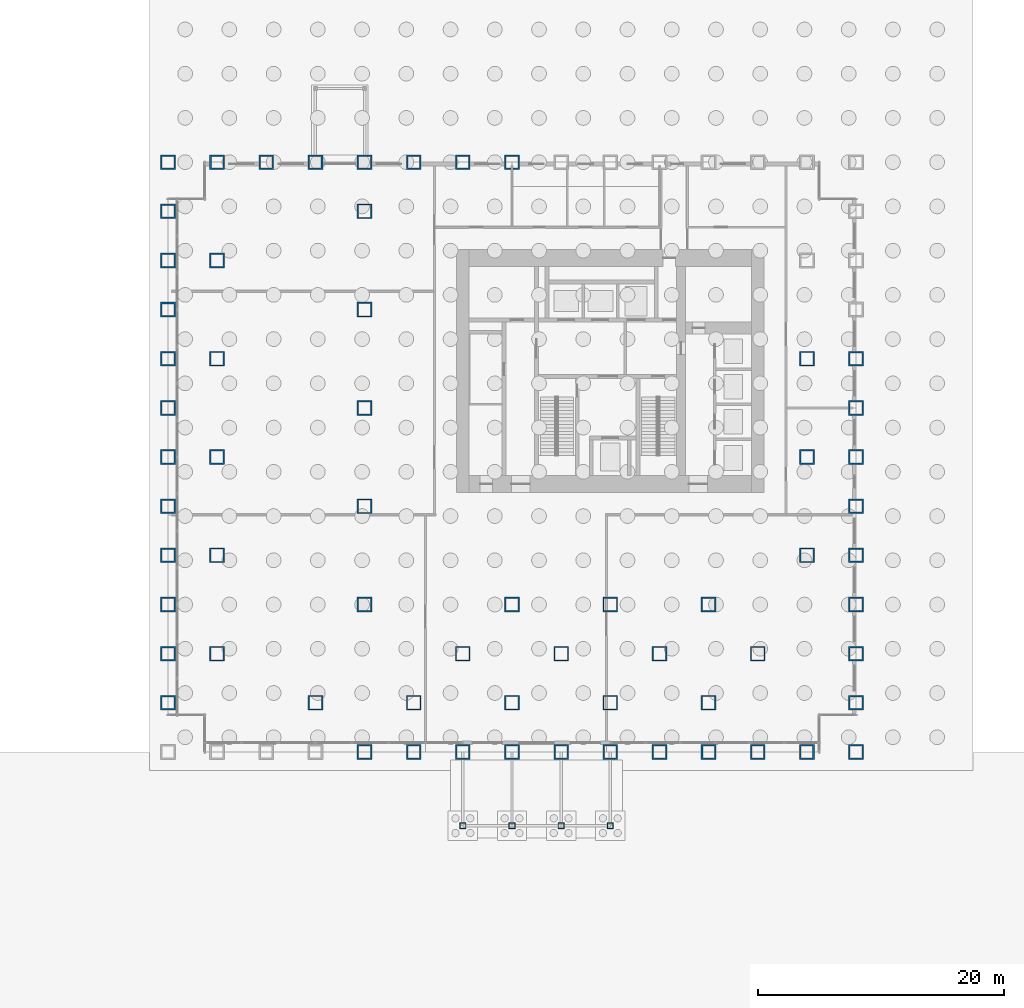
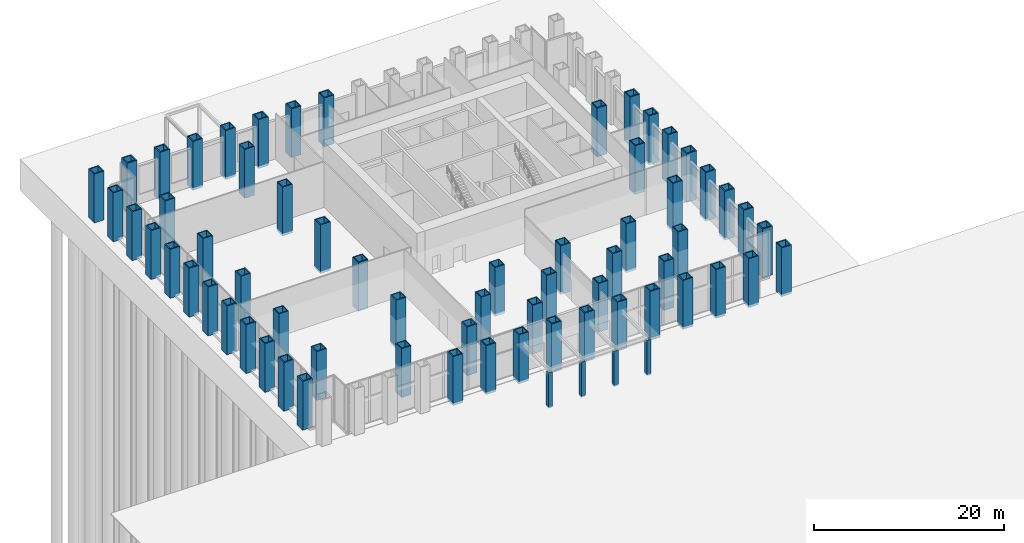
# One storey, part 3 of 17: 67 columns.
"""IFC4 building model written with IfcOpenShell, lengths in metres."""

from ifc_helpers import new_model, si_unit, direction, frame, origin, origin_2d, place, context, subcontext, project, spatial, hollow_rectangle, extrude, material, material_profile, profile_set, type_object, element, save


model = new_model("IFC4")

# Units and contexts
model_context = context("Model", 3, precision=1e-05, world=origin(), true_north=direction((0.0, 1.0)))
body_context = subcontext(model_context, "Body", "Model", "MODEL_VIEW")
ifc_project = project(units=[si_unit("LENGTHUNIT", "METRE"), si_unit("AREAUNIT", "SQUARE_METRE"), si_unit("VOLUMEUNIT", "CUBIC_METRE"), si_unit("PLANEANGLEUNIT", "RADIAN"), si_unit("MASSUNIT", "GRAM", prefix="KILO")], contexts=[model_context])

# Site, building, storey
site_placement = place(None, origin())
site = spatial("IfcSite", under=ifc_project, at=site_placement, CompositionType="ELEMENT")
building_placement = place(site_placement, origin())
building = spatial("IfcBuilding", under=site, at=building_placement, Name="Rimbunsela Tower", CompositionType="ELEMENT")
storey_placement = place(building_placement, origin())
storey = spatial("IfcBuildingStorey", under=building, at=storey_placement, Name="L00", CompositionType="ELEMENT", Elevation=0.0)

# Columns
ifc_material_1 = material(Name="Steel BJ 55 (fy 410 MPa)", Category="steel")
ifc_material_profile_1 = material_profile(ifc_material_1, hollow_rectangle(XDim=0.5, YDim=0.5, WallThickness=0.031982421875, at=origin_2d()), Name="BOX 500x500x32")
ifc_profile_set_1 = profile_set([ifc_material_profile_1], Name="Steel BJ 55 (fy 410 MPa)")
column_type_1 = type_object("IfcColumnType", Name="Canopy post BOX 500x500x32", PredefinedType="COLUMN", material=ifc_profile_set_1)
for number, where, z_axis, x_axis, name in (
    (1, (18.0, -10.0, -0.14990234375), (0.0, 0.0, 1.0), (1.0, 0.0, 0.0), "Entrance canopy post CC1"),
    (2, (22.0, -10.0, -0.14990234375), (0.0, 0.0, 1.0), (1.0, 0.0, 0.0), "Entrance canopy post CC1"),
    (3, (26.0, -10.0, -0.14990234375), (0.0, 0.0, 1.0), (1.0, 0.0, 0.0), "Entrance canopy post CC1"),
    (4, (30.0, -10.0, -0.14990234375), (0.0, 0.0, 1.0), (1.0, 0.0, 0.0), "Entrance canopy post CC1"),
):
    element("IfcColumn", number, at=place(storey_placement, frame(where, z_axis=z_axis, x_axis=x_axis)), inside=storey, type_object=column_type_1, Name=name, PredefinedType="COLUMN", context=body_context, shape_type="SweptSolid", body=[
        extrude(hollow_rectangle(XDim=0.5, YDim=0.5, WallThickness=0.031982421875, at=origin_2d()), origin(), (0.0, 0.0, 1.0), 4.5),
    ])
ifc_material_2 = material(Name="Steel BJ 55 (fy 410 MPa)", Category="steel")
ifc_material_profile_2 = material_profile(ifc_material_2, hollow_rectangle(XDim=1.199951171875, YDim=1.199951171875, WallThickness=0.10009765625, at=origin_2d()), Name="BOX 1200x1200x100")
ifc_profile_set_2 = profile_set([ifc_material_profile_2], Name="Steel BJ 55 (fy 410 MPa)")
column_type_2 = type_object("IfcColumnType", Name="Column BOX 1200x1200x100", PredefinedType="COLUMN", material=ifc_profile_set_2)
for number, where, z_axis, x_axis, name in (
    (5, (-2.0, 4.0, -0.300048828125), (0.0, 0.0, 1.0), (1.0, 0.0, 0.0), "Column C7 2/C L00"),
    (6, (-2.0, 12.0, -0.300048828125), (0.0, 0.0, 1.0), (1.0, 0.0, 0.0), "Column C7 2/E L00"),
    (7, (-2.0, 20.0, -0.300048828125), (0.0, 0.0, 1.0), (1.0, 0.0, 0.0), "Column C7 2/G L00"),
    (8, (-2.0, 28.0, -0.300048828125), (0.0, 0.0, 1.0), (1.0, 0.0, 0.0), "Column C7 2/J L00"),
    (9, (-2.0, 36.0, -0.300048828125), (0.0, 0.0, 1.0), (1.0, 0.0, 0.0), "Column C7 2/L L00"),
    (10, (6.0, 0.0, -0.300048828125), (0.0, 0.0, 1.0), (1.0, 0.0, 0.0), "Column C7 4/B L00"),
    (11, (10.0, 8.0, -0.300048828125), (0.0, 0.0, 1.0), (1.0, 0.0, 0.0), "Column C7 5/D L00"),
    (12, (10.0, 16.0, -0.300048828125), (0.0, 0.0, 1.0), (1.0, 0.0, 0.0), "Column C7 5/F L00"),
    (13, (10.0, 24.0, -0.300048828125), (0.0, 0.0, 1.0), (1.0, 0.0, 0.0), "Column C7 5/H L00"),
    (14, (10.0, 32.0, -0.300048828125), (0.0, 0.0, 1.0), (1.0, 0.0, 0.0), "Column C7 5/K L00"),
    (15, (10.0, 40.0, -0.300048828125), (0.0, 0.0, 1.0), (1.0, 0.0, 0.0), "Column C7 5/M L00"),
    (16, (14.0, 0.0, -0.300048828125), (0.0, 0.0, 1.0), (1.0, 0.0, 0.0), "Column C7 6/B L00"),
    (17, (18.0, 4.0, -0.300048828125), (0.0, 0.0, 1.0), (1.0, 0.0, 0.0), "Column C7 7/C L00"),
    (18, (22.0, 0.0, -0.300048828125), (0.0, 0.0, 1.0), (1.0, 0.0, 0.0), "Column C7 8/B L00"),
    (19, (22.0, 8.0, -0.300048828125), (0.0, 0.0, 1.0), (1.0, 0.0, 0.0), "Column C7 8/D L00"),
    (20, (26.0, 4.0, -0.300048828125), (0.0, 0.0, 1.0), (1.0, 0.0, 0.0), "Column C7 9/C L00"),
    (21, (30.0, 0.0, -0.300048828125), (0.0, 0.0, 1.0), (1.0, 0.0, 0.0), "Column C7 10/B L00"),
    (22, (30.0, 8.0, -0.300048828125), (0.0, 0.0, 1.0), (1.0, 0.0, 0.0), "Column C7 10/D L00"),
    (23, (34.0, 4.0, -0.300048828125), (0.0, 0.0, 1.0), (1.0, 0.0, 0.0), "Column C7 11/C L00"),
    (24, (38.0, 0.0, -0.300048828125), (0.0, 0.0, 1.0), (1.0, 0.0, 0.0), "Column C7 12/B L00"),
    (25, (38.0, 8.0, -0.300048828125), (0.0, 0.0, 1.0), (1.0, 0.0, 0.0), "Column C7 12/D L00"),
    (26, (42.0, 4.0, -0.300048828125), (0.0, 0.0, 1.0), (1.0, 0.0, 0.0), "Column C7 13/C L00"),
    (27, (46.0, 12.0, -0.300048828125), (0.0, 0.0, 1.0), (1.0, 0.0, 0.0), "Column C7 14/E L00"),
    (28, (46.0, 20.0, -0.300048828125), (0.0, 0.0, 1.0), (1.0, 0.0, 0.0), "Column C7 14/G L00"),
    (29, (46.0, 28.0, -0.300048828125), (0.0, 0.0, 1.0), (1.0, 0.0, 0.0), "Column C7 14/J L00"),
):
    element("IfcColumn", number, at=place(storey_placement, frame(where, z_axis=z_axis, x_axis=x_axis)), inside=storey, type_object=column_type_2, Name=name, PredefinedType="COLUMN", context=body_context, shape_type="SweptSolid", body=[
        extrude(hollow_rectangle(XDim=1.199951171875, YDim=1.199951171875, WallThickness=0.10009765625, at=origin_2d()), origin(), (0.0, 0.0, 1.0), 6.300048828125),
    ])
ifc_material_3 = material(Name="Steel BJ 55 (fy 410 MPa)", Category="steel")
ifc_material_profile_3 = material_profile(ifc_material_3, hollow_rectangle(XDim=1.199951171875, YDim=1.199951171875, WallThickness=0.125, at=origin_2d()), Name="BOX 1200x1200x125")
ifc_profile_set_3 = profile_set([ifc_material_profile_3], Name="Steel BJ 55 (fy 410 MPa)")
column_type_3 = type_object("IfcColumnType", Name="Column BOX 1200x1200x125", PredefinedType="COLUMN", material=ifc_profile_set_3)
for number, where, z_axis, x_axis, name in (
    (30, (-6.0, 0.0, -0.300048828125), (0.0, 0.0, 1.0), (1.0, 0.0, 0.0), "Column C6 1/B L00"),
    (31, (-6.0, 4.0, -0.300048828125), (0.0, 0.0, 1.0), (1.0, 0.0, 0.0), "Column C6 1/C L00"),
    (32, (-6.0, 8.0, -0.300048828125), (0.0, 0.0, 1.0), (1.0, 0.0, 0.0), "Column C6 1/D L00"),
    (33, (-6.0, 12.0, -0.300048828125), (0.0, 0.0, 1.0), (1.0, 0.0, 0.0), "Column C6 1/E L00"),
    (34, (-6.0, 16.0, -0.300048828125), (0.0, 0.0, 1.0), (1.0, 0.0, 0.0), "Column C6 1/F L00"),
    (35, (-6.0, 20.0, -0.300048828125), (0.0, 0.0, 1.0), (1.0, 0.0, 0.0), "Column C6 1/G L00"),
    (36, (-6.0, 24.0, -0.300048828125), (0.0, 0.0, 1.0), (1.0, 0.0, 0.0), "Column C6 1/H L00"),
    (37, (-6.0, 28.0, -0.300048828125), (0.0, 0.0, 1.0), (1.0, 0.0, 0.0), "Column C6 1/J L00"),
    (38, (-6.0, 32.0, -0.300048828125), (0.0, 0.0, 1.0), (1.0, 0.0, 0.0), "Column C6 1/K L00"),
    (39, (-6.0, 36.0, -0.300048828125), (0.0, 0.0, 1.0), (1.0, 0.0, 0.0), "Column C6 1/L L00"),
    (40, (-6.0, 40.0, -0.300048828125), (0.0, 0.0, 1.0), (1.0, 0.0, 0.0), "Column C6 1/M L00"),
    (41, (-6.0, 44.0, -0.300048828125), (0.0, 0.0, 1.0), (1.0, 0.0, 0.0), "Column C6 1/N L00"),
    (42, (-2.0, 44.0, -0.300048828125), (0.0, 0.0, 1.0), (1.0, 0.0, 0.0), "Column C6 2/N L00"),
    (43, (2.0, 44.0, -0.300048828125), (0.0, 0.0, 1.0), (1.0, 0.0, 0.0), "Column C6 3/N L00"),
    (44, (6.0, 44.0, -0.300048828125), (0.0, 0.0, 1.0), (1.0, 0.0, 0.0), "Column C6 4/N L00"),
    (45, (10.0, -4.0, -0.300048828125), (0.0, 0.0, 1.0), (1.0, 0.0, 0.0), "Column C6 5/A L00"),
    (46, (10.0, 44.0, -0.300048828125), (0.0, 0.0, 1.0), (1.0, 0.0, 0.0), "Column C6 5/N L00"),
    (47, (14.0, -4.0, -0.300048828125), (0.0, 0.0, 1.0), (1.0, 0.0, 0.0), "Column C6 6/A L00"),
    (48, (14.0, 44.0, -0.300048828125), (0.0, 0.0, 1.0), (1.0, 0.0, 0.0), "Column C6 6/N L00"),
    (49, (18.0, -4.0, -0.300048828125), (0.0, 0.0, 1.0), (1.0, 0.0, 0.0), "Column C6 7/A L00"),
    (50, (18.0, 44.0, -0.300048828125), (0.0, 0.0, 1.0), (1.0, 0.0, 0.0), "Column C6 7/N L00"),
    (51, (22.0, -4.0, -0.300048828125), (0.0, 0.0, 1.0), (1.0, 0.0, 0.0), "Column C6 8/A L00"),
    (52, (22.0, 44.0, -0.300048828125), (0.0, 0.0, 1.0), (1.0, 0.0, 0.0), "Column C6 8/N L00"),
    (53, (26.0, -4.0, -0.300048828125), (0.0, 0.0, 1.0), (1.0, 0.0, 0.0), "Column C6 9/A L00"),
    (54, (30.0, -4.0, -0.300048828125), (0.0, 0.0, 1.0), (1.0, 0.0, 0.0), "Column C6 10/A L00"),
    (55, (34.0, -4.0, -0.300048828125), (0.0, 0.0, 1.0), (1.0, 0.0, 0.0), "Column C6 11/A L00"),
    (56, (38.0, -4.0, -0.300048828125), (0.0, 0.0, 1.0), (1.0, 0.0, 0.0), "Column C6 12/A L00"),
    (57, (42.0, -4.0, -0.300048828125), (0.0, 0.0, 1.0), (1.0, 0.0, 0.0), "Column C6 13/A L00"),
    (58, (46.0, -4.0, -0.300048828125), (0.0, 0.0, 1.0), (1.0, 0.0, 0.0), "Column C6 14/A L00"),
    (59, (50.0, -4.0, -0.300048828125), (0.0, 0.0, 1.0), (1.0, 0.0, 0.0), "Column C6 15/A L00"),
    (60, (50.0, 0.0, -0.300048828125), (0.0, 0.0, 1.0), (1.0, 0.0, 0.0), "Column C6 15/B L00"),
    (61, (50.0, 4.0, -0.300048828125), (0.0, 0.0, 1.0), (1.0, 0.0, 0.0), "Column C6 15/C L00"),
    (62, (50.0, 8.0, -0.300048828125), (0.0, 0.0, 1.0), (1.0, 0.0, 0.0), "Column C6 15/D L00"),
    (63, (50.0, 12.0, -0.300048828125), (0.0, 0.0, 1.0), (1.0, 0.0, 0.0), "Column C6 15/E L00"),
    (64, (50.0, 16.0, -0.300048828125), (0.0, 0.0, 1.0), (1.0, 0.0, 0.0), "Column C6 15/F L00"),
    (65, (50.0, 20.0, -0.300048828125), (0.0, 0.0, 1.0), (1.0, 0.0, 0.0), "Column C6 15/G L00"),
    (66, (50.0, 24.0, -0.300048828125), (0.0, 0.0, 1.0), (1.0, 0.0, 0.0), "Column C6 15/H L00"),
    (67, (50.0, 28.0, -0.300048828125), (0.0, 0.0, 1.0), (1.0, 0.0, 0.0), "Column C6 15/J L00"),
):
    element("IfcColumn", number, at=place(storey_placement, frame(where, z_axis=z_axis, x_axis=x_axis)), inside=storey, type_object=column_type_3, Name=name, PredefinedType="COLUMN", context=body_context, shape_type="SweptSolid", body=[
        extrude(hollow_rectangle(XDim=1.199951171875, YDim=1.199951171875, WallThickness=0.125, at=origin_2d()), origin(), (0.0, 0.0, 1.0), 6.300048828125),
    ])

save(model, "model.ifc")
